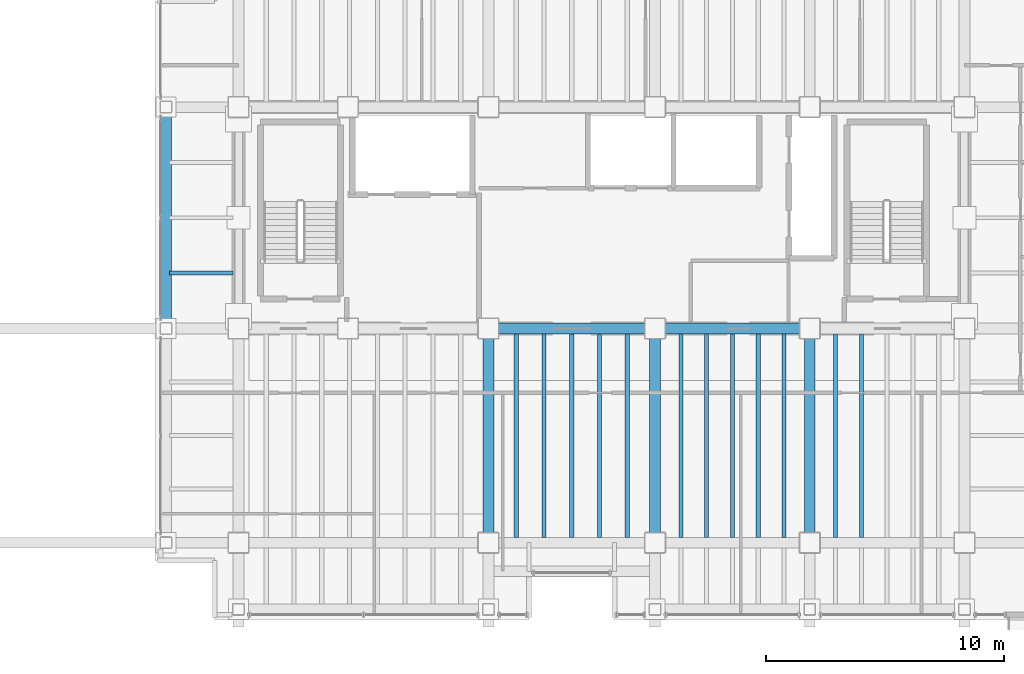
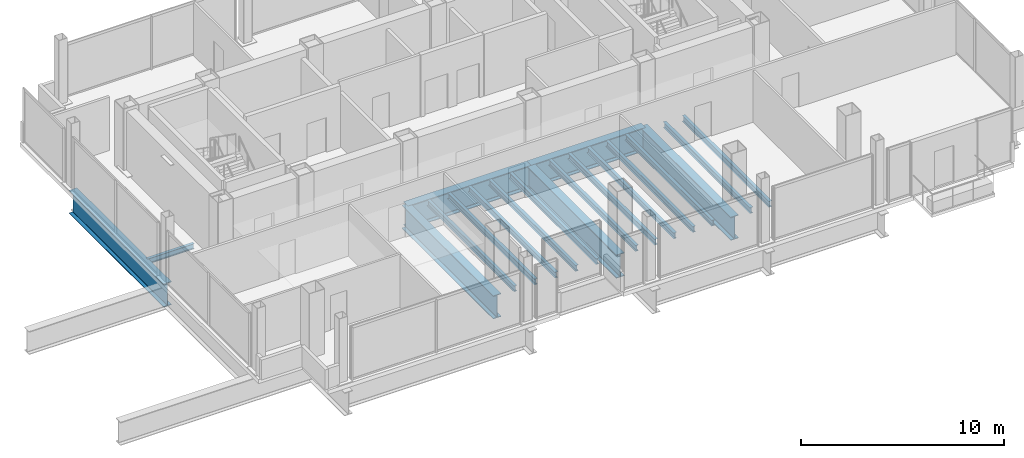
# One storey, part 7 of 19: 19 beams.
"""IFC4 building model written with IfcOpenShell, lengths in metres."""

from ifc_helpers import new_model, si_unit, direction, frame, origin, origin_2d, place, context, subcontext, project, spatial, i_section, extrude, material, material_profile, profile_set, type_object, element, save


model = new_model("IFC4")

# Units and contexts
model_context = context("Model", 3, precision=1e-05, world=origin(), true_north=direction((0.0, 1.0)))
body_context = subcontext(model_context, "Body", "Model", "MODEL_VIEW")
ifc_project = project(units=[si_unit("LENGTHUNIT", "METRE"), si_unit("AREAUNIT", "SQUARE_METRE"), si_unit("VOLUMEUNIT", "CUBIC_METRE"), si_unit("PLANEANGLEUNIT", "RADIAN"), si_unit("MASSUNIT", "GRAM", prefix="KILO")], contexts=[model_context])

# Site, building, storey
site_placement = place(None, origin())
site = spatial("IfcSite", under=ifc_project, at=site_placement, CompositionType="ELEMENT")
building_placement = place(site_placement, origin())
building = spatial("IfcBuilding", under=site, at=building_placement, Name="Noeulbin Bourse Tower", CompositionType="ELEMENT")
storey_placement = place(building_placement, frame((0.0, 0.0, 169.5)))
storey = spatial("IfcBuildingStorey", under=building, at=storey_placement, Name="L42", CompositionType="ELEMENT", Elevation=169.5)

# Beams
ifc_material_1 = material(Name="Steel S355", Category="steel")
ifc_material_profile_1 = material_profile(ifc_material_1, i_section(OverallWidth=0.159912109375, OverallDepth=0.320068359375, WebThickness=0.006591796875, FlangeThickness=0.010009765625, FilletRadius=0.012939453125, at=origin_2d()), Name="H-320x160x6.5x10", Category="LoadBearing")
ifc_profile_set_1 = profile_set([ifc_material_profile_1], Name="Steel S355")
beam_type_1 = type_object("IfcBeamType", Name="BM-JST-320", PredefinedType="JOIST", material=ifc_profile_set_1)
beam_1_placement = place(storey_placement, frame((10.60009765625, 31.324951171875, -0.39990234375), z_axis=(1.0, 0.0, 0.0), x_axis=(0.0, 1.0, 0.0)))
element("IfcBeam", 1, at=beam_1_placement, inside=storey, type_object=beam_type_1, Name="Wing Composite Joist L42-W68", PredefinedType="JOIST", context=body_context, shape_type="SweptSolid", body=[
    extrude(i_section(OverallWidth=0.159912109375, OverallDepth=0.320068359375, WebThickness=0.006591796875, FlangeThickness=0.010009765625, FilletRadius=0.012939453125, at=origin_2d()), origin(), (0.0, 0.0, 1.0), 2.6748046875),
])
ifc_material_profile_2 = material_profile(ifc_material_1, i_section(OverallWidth=0.175048828125, OverallDepth=0.35009765625, WebThickness=0.007080078125, FlangeThickness=0.010986328125, FilletRadius=0.013916015625, at=origin_2d()), Name="H-350x175x7x11", Category="LoadBearing")
ifc_profile_set_2 = profile_set([ifc_material_profile_2], Name="Steel S355")
beam_type_2 = type_object("IfcBeamType", Name="BM-JST-350", PredefinedType="JOIST", material=ifc_profile_set_2)
for number, where, z_axis, x_axis, name in (
    (2, (25.166748046875, 20.22509765625, -0.4150390625), (0.0, 1.0, 0.0), (-1.0, 0.0, 0.0), "Tower Composite Joist L42-25"),
    (3, (26.333251953125, 20.22509765625, -0.4150390625), (0.0, 1.0, 0.0), (-1.0, 0.0, 0.0), "Tower Composite Joist L42-27"),
    (4, (27.5, 20.22509765625, -0.4150390625), (0.0, 1.0, 0.0), (-1.0, 0.0, 0.0), "Tower Composite Joist L42-29"),
    (5, (28.666748046875, 20.22509765625, -0.4150390625), (0.0, 1.0, 0.0), (-1.0, 0.0, 0.0), "Tower Composite Joist L42-31"),
    (6, (29.833251953125, 20.22509765625, -0.4150390625), (0.0, 1.0, 0.0), (-1.0, 0.0, 0.0), "Tower Composite Joist L42-33"),
    (7, (32.083251953125, 20.22509765625, -0.4150390625), (0.0, 1.0, 0.0), (-1.0, 0.0, 0.0), "Tower Composite Joist L42-36"),
    (8, (33.166748046875, 20.22509765625, -0.4150390625), (0.0, 1.0, 0.0), (-1.0, 0.0, 0.0), "Tower Composite Joist L42-39"),
    (9, (34.25, 20.22509765625, -0.4150390625), (0.0, 1.0, 0.0), (-1.0, 0.0, 0.0), "Tower Composite Joist L42-42"),
    (10, (35.333251953125, 20.22509765625, -0.4150390625), (0.0, 1.0, 0.0), (-1.0, 0.0, 0.0), "Tower Composite Joist L42-45"),
    (11, (36.416748046875, 20.22509765625, -0.4150390625), (0.0, 1.0, 0.0), (-1.0, 0.0, 0.0), "Tower Composite Joist L42-48"),
    (12, (38.583251953125, 20.22509765625, -0.4150390625), (0.0, 1.0, 0.0), (-1.0, 0.0, 0.0), "Tower Composite Joist L42-51"),
    (13, (39.666748046875, 20.22509765625, -0.4150390625), (0.0, 1.0, 0.0), (-1.0, 0.0, 0.0), "Tower Composite Joist L42-54"),
):
    element("IfcBeam", number, at=place(storey_placement, frame(where, z_axis=z_axis, x_axis=x_axis)), inside=storey, type_object=beam_type_2, Name=name, PredefinedType="JOIST", context=body_context, shape_type="SweptSolid", body=[
        extrude(i_section(OverallWidth=0.175048828125, OverallDepth=0.35009765625, WebThickness=0.007080078125, FlangeThickness=0.010986328125, FilletRadius=0.013916015625, at=origin_2d()), origin(), (0.0, 0.0, 1.0), 8.5498046875),
    ])
ifc_material_2 = material(Name="Steel S460", Category="steel")
ifc_material_profile_3 = material_profile(ifc_material_2, i_section(OverallWidth=0.449951171875, OverallDepth=1.39990234375, WebThickness=0.02392578125, FlangeThickness=0.0400390625, FilletRadius=0.02392578125, at=origin_2d()), Name="PG-1400x450x24x40", Category="LoadBearing")
ifc_profile_set_3 = profile_set([ifc_material_profile_3], Name="Steel S460")
beam_type_3 = type_object("IfcBeamType", Name="BM-TRF-1400", PredefinedType="USERDEFINED", material=ifc_profile_set_3)
beam_2_placement = place(storey_placement, frame((24.0, 29.0, -0.93994140625), z_axis=(1.0, 0.0, 0.0), x_axis=(0.0, 1.0, 0.0)))
element("IfcBeam", 14, at=beam_2_placement, inside=storey, type_object=beam_type_3, Name="Tower Primary Girder EW L42-2.3", ObjectType="GIRDER", PredefinedType="USERDEFINED", context=body_context, shape_type="SweptSolid", body=[
    extrude(i_section(OverallWidth=0.449951171875, OverallDepth=1.39990234375, WebThickness=0.02392578125, FlangeThickness=0.0400390625, FilletRadius=0.02392578125, at=origin_2d()), origin(), (0.0, 0.0, 1.0), 7.0),
])
beam_3_placement = place(storey_placement, frame((31.0, 29.0, -0.93994140625), z_axis=(1.0, 0.0, 0.0), x_axis=(0.0, 1.0, 0.0)))
element("IfcBeam", 15, at=beam_3_placement, inside=storey, type_object=beam_type_3, Name="Tower Primary Girder EW L42-2.4", ObjectType="GIRDER", PredefinedType="USERDEFINED", context=body_context, shape_type="SweptSolid", body=[
    extrude(i_section(OverallWidth=0.449951171875, OverallDepth=1.39990234375, WebThickness=0.02392578125, FlangeThickness=0.0400390625, FilletRadius=0.02392578125, at=origin_2d()), origin(), (0.0, 0.0, 1.0), 6.5),
])
for number, where, z_axis, x_axis, name in (
    (16, (24.0, 20.0, -0.93994140625), (0.0, 1.0, 0.0), (-1.0, 0.0, 0.0), "Tower Primary Girder NS L42-2.2"),
    (17, (31.0, 20.0, -0.93994140625), (0.0, 1.0, 0.0), (-1.0, 0.0, 0.0), "Tower Primary Girder NS L42-3.2"),
    (18, (37.5, 20.0, -0.93994140625), (0.0, 1.0, 0.0), (-1.0, 0.0, 0.0), "Tower Primary Girder NS L42-4.2"),
):
    element("IfcBeam", number, at=place(storey_placement, frame(where, z_axis=z_axis, x_axis=x_axis)), inside=storey, type_object=beam_type_3, Name=name, ObjectType="GIRDER", PredefinedType="USERDEFINED", context=body_context, shape_type="SweptSolid", body=[
        extrude(i_section(OverallWidth=0.449951171875, OverallDepth=1.39990234375, WebThickness=0.02392578125, FlangeThickness=0.0400390625, FilletRadius=0.02392578125, at=origin_2d()), origin(), (0.0, 0.0, 1.0), 9.0),
    ])
beam_4_placement = place(storey_placement, frame((10.449951171875, 29.0, -0.93994140625), z_axis=(0.0, 1.0, 0.0), x_axis=(-1.0, 0.0, 0.0)))
element("IfcBeam", 19, at=beam_4_placement, inside=storey, type_object=beam_type_3, Name="West Spandrel L42-2", ObjectType="GIRDER", PredefinedType="USERDEFINED", context=body_context, shape_type="SweptSolid", body=[
    extrude(i_section(OverallWidth=0.449951171875, OverallDepth=1.39990234375, WebThickness=0.02392578125, FlangeThickness=0.0400390625, FilletRadius=0.02392578125, at=origin_2d()), origin(), (0.0, 0.0, 1.0), 9.300048828125),
])

save(model, "model.ifc")
